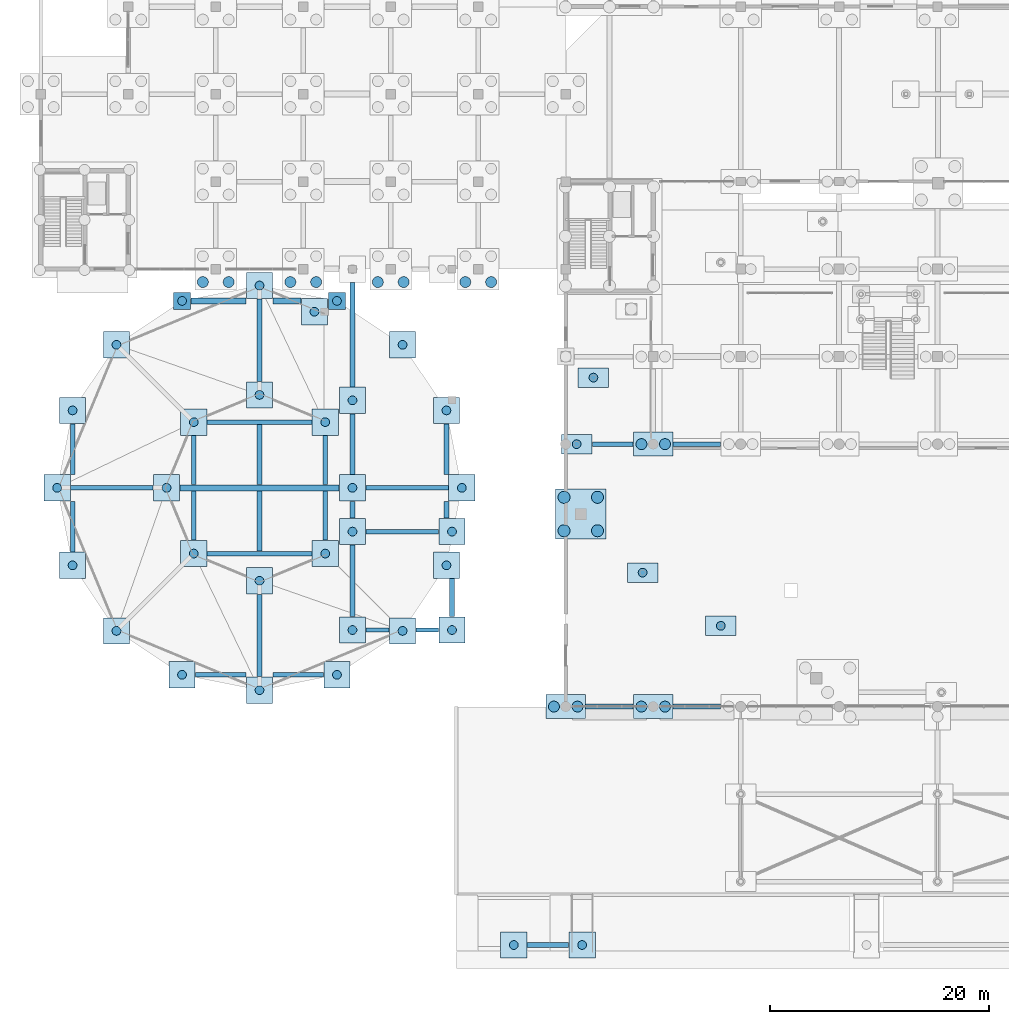
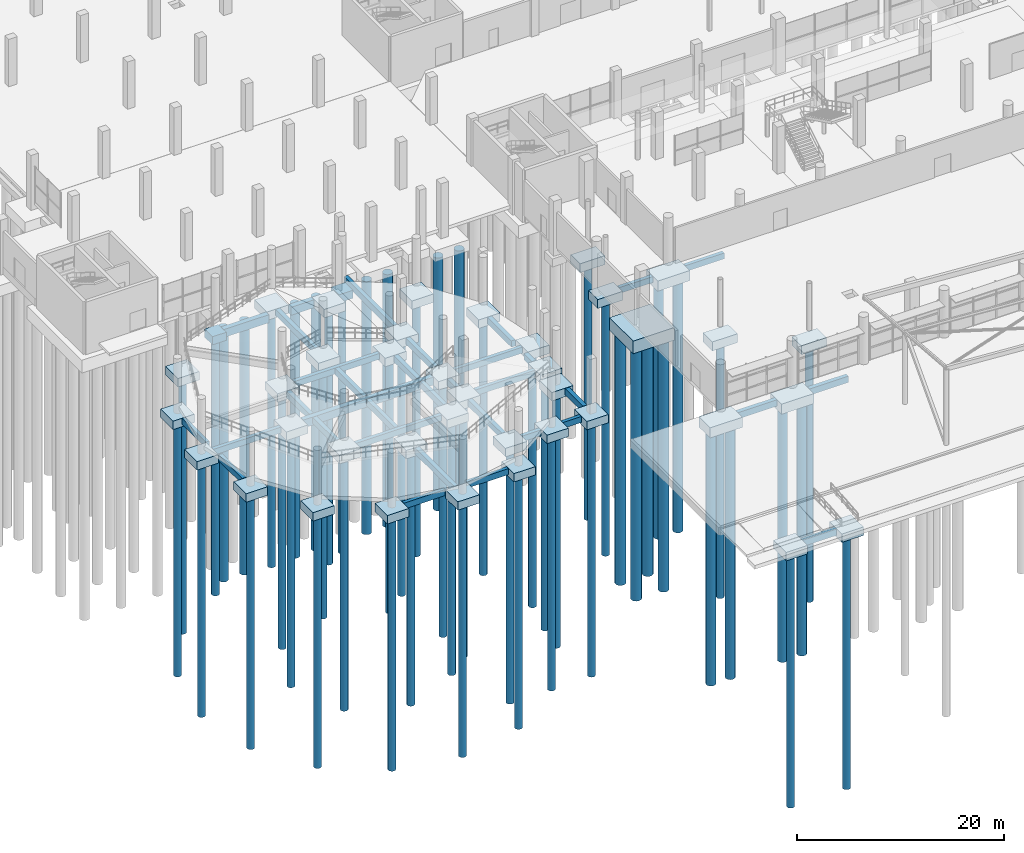
# One storey, part 1 of 98: 74 footings, 54 piles.
"""IFC4 building model written with IfcOpenShell, lengths in metres."""

from ifc_helpers import new_model, si_unit, derived_unit, direction, frame, origin, origin_2d, place, context, subcontext, project, spatial, rectangle, circle, extrude, material, layer, layer_set, material_profile, profile_set, type_object, element, save


model = new_model("IFC4")

# Units and contexts
model_context = context("Model", 3, precision=1e-05, world=origin(), true_north=direction((0.0, 1.0)))
body_context = subcontext(model_context, "Body", "Model", "MODEL_VIEW")
ifc_project = project(units=[si_unit("LENGTHUNIT", "METRE"), si_unit("AREAUNIT", "SQUARE_METRE"), si_unit("VOLUMEUNIT", "CUBIC_METRE"), si_unit("PLANEANGLEUNIT", "RADIAN"), si_unit("MASSUNIT", "GRAM", prefix="KILO"), si_unit("THERMODYNAMICTEMPERATUREUNIT", "KELVIN"), derived_unit("THERMALTRANSMITTANCEUNIT", [(si_unit("POWERUNIT", "WATT"), 1), (si_unit("AREAUNIT", "SQUARE_METRE"), -1), (si_unit("THERMODYNAMICTEMPERATUREUNIT", "KELVIN"), -1)])], contexts=[model_context])

# Site, building, storey
site_placement = place(None, origin())
site = spatial("IfcSite", under=ifc_project, at=site_placement, CompositionType="ELEMENT")
building_placement = place(site_placement, origin())
building = spatial("IfcBuilding", under=site, at=building_placement, Name="Haiyu Intermodal Mobility Hub", CompositionType="ELEMENT")
storey_placement = place(building_placement, origin())
storey = spatial("IfcBuildingStorey", under=building, at=storey_placement, Name="L00", CompositionType="ELEMENT", Elevation=0.0)

# Footings
ifc_material = material(Name="Concrete C40", Category="concrete")
ifc_layer_1 = layer(ifc_material, 1.5)
ifc_layer_set_1 = layer_set([ifc_layer_1], Name="Concrete C40")
footing_type_1 = type_object("IfcFootingType", Name="CAP-PC01", PredefinedType="PILE_CAP", material=ifc_layer_set_1)
footing_1_placement = place(storey_placement, frame((63.3740234375, 57.60693359375, -2.39990234375), z_axis=(0.0, 0.0, 1.0), x_axis=(1.0, 0.0, 0.0)))
element("IfcFooting", 1, at=footing_1_placement, inside=storey, type_object=footing_type_1, Name="Pile Cap CAP-MP-05", PredefinedType="PILE_CAP", context=body_context, shape_type="SweptSolid", body=[
    extrude(rectangle(XDim=4.60009765625, YDim=4.60009765625, at=origin_2d()), origin(), (0.0, 0.0, 1.0), 1.5),
])
ifc_layer_2 = layer(ifc_material, 1.199951171875)
ifc_layer_set_2 = layer_set([ifc_layer_2], Name="Concrete C40")
footing_type_2 = type_object("IfcFootingType", Name="CAP-PC04", PredefinedType="PILE_CAP", material=ifc_layer_set_2)
for number, where, z_axis, x_axis, name in (
    (2, (62.0, 40.0, -2.10009765625), (0.0, 0.0, 1.0), (1.0, 0.0, 0.0), "Pile Cap CAP-V1-7D"),
    (3, (70.0, 40.0, -2.10009765625), (0.0, 0.0, 1.0), (1.0, 0.0, 0.0), "Pile Cap CAP-V1-8D"),
    (4, (70.0, 64.0, -2.10009765625), (0.0, 0.0, 1.0), (1.0, 0.0, 0.0), "Pile Cap CAP-V1-8G"),
):
    element("IfcFooting", number, at=place(storey_placement, frame(where, z_axis=z_axis, x_axis=x_axis)), inside=storey, type_object=footing_type_2, Name=name, PredefinedType="PILE_CAP", context=body_context, shape_type="SweptSolid", body=[
        extrude(rectangle(XDim=3.60009765625, YDim=2.199951171875, at=origin_2d()), origin(), (0.0, 0.0, 1.0), 1.199951171875),
    ])
ifc_layer_3 = layer(ifc_material, 1.050048828125)
ifc_layer_set_3 = layer_set([ifc_layer_3], Name="Concrete C40")
footing_type_3 = type_object("IfcFootingType", Name="CAP-PC07", PredefinedType="PILE_CAP", material=ifc_layer_set_3)
for number, where, z_axis, x_axis, name in (
    (5, (64.532958984375, 70.08203125, -1.9501953125), (0.0, 0.0, 1.0), (1.0, 0.0, 0.0), "Pile Cap CAP-RCOL-12"),
    (6, (63.0, 64.0, -1.9501953125), (0.0, 0.0, 1.0), (1.0, 0.0, 0.0), "Pile Cap CAP-RCOL-13"),
    (7, (69.029052734375, 52.25, -1.9501953125), (0.0, 0.0, 1.0), (1.0, 0.0, 0.0), "Pile Cap CAP-RCOL-15"),
    (8, (76.179931640625, 47.383056640625, -1.9501953125), (0.0, 0.0, 1.0), (1.0, 0.0, 0.0), "Pile Cap CAP-RCOL-16"),
):
    element("IfcFooting", number, at=place(storey_placement, frame(where, z_axis=z_axis, x_axis=x_axis)), inside=storey, type_object=footing_type_3, Name=name, PredefinedType="PILE_CAP", context=body_context, shape_type="SweptSolid", body=[
        extrude(rectangle(XDim=2.800048828125, YDim=1.800048828125, at=origin_2d()), origin(), (0.0, 0.0, 1.0), 1.050048828125),
    ])
ifc_layer_4 = layer(ifc_material, 1.0)
ifc_layer_set_4 = layer_set([ifc_layer_4], Name="Concrete C40")
footing_type_4 = type_object("IfcFootingType", Name="CAP-PC10", PredefinedType="PILE_CAP", material=ifc_layer_set_4)
for number, where, z_axis, x_axis, name in (
    (9, (52.5, 60.0, -1.89990234375), (0.0, 0.0, 1.0), (1.0, 0.0, 0.0), "Pile Cap CAP-V2O-01"),
    (10, (51.092041015625, 67.080078125, -1.89990234375), (0.0, 0.0, 1.0), (1.0, 0.0, 0.0), "Pile Cap CAP-V2O-02"),
    (11, (47.0810546875, 73.0810546875, -1.89990234375), (0.0, 0.0, 1.0), (1.0, 0.0, 0.0), "Pile Cap CAP-V2O-03"),
    (12, (34.0, 78.5, -1.89990234375), (0.0, 0.0, 1.0), (1.0, 0.0, 0.0), "Pile Cap CAP-V2O-05"),
    (13, (20.9189453125, 73.0810546875, -1.89990234375), (0.0, 0.0, 1.0), (1.0, 0.0, 0.0), "Pile Cap CAP-V2O-07"),
    (14, (16.907958984375, 67.080078125, -1.89990234375), (0.0, 0.0, 1.0), (1.0, 0.0, 0.0), "Pile Cap CAP-V2O-08"),
    (15, (15.5, 60.0, -1.89990234375), (0.0, 0.0, 1.0), (1.0, 0.0, 0.0), "Pile Cap CAP-V2O-09"),
    (16, (16.907958984375, 52.919921875, -1.89990234375), (0.0, 0.0, 1.0), (1.0, 0.0, 0.0), "Pile Cap CAP-V2O-10"),
    (17, (20.9189453125, 46.9189453125, -1.89990234375), (0.0, 0.0, 1.0), (1.0, 0.0, 0.0), "Pile Cap CAP-V2O-11"),
    (18, (26.919921875, 42.907958984375, -1.89990234375), (0.0, 0.0, 1.0), (1.0, 0.0, 0.0), "Pile Cap CAP-V2O-12"),
    (19, (34.0, 41.5, -1.89990234375), (0.0, 0.0, 1.0), (1.0, 0.0, 0.0), "Pile Cap CAP-V2O-13"),
    (20, (41.080078125, 42.907958984375, -1.89990234375), (0.0, 0.0, 1.0), (1.0, 0.0, 0.0), "Pile Cap CAP-V2O-14"),
    (21, (47.0810546875, 46.9189453125, -1.89990234375), (0.0, 0.0, 1.0), (1.0, 0.0, 0.0), "Pile Cap CAP-V2O-15"),
    (22, (51.092041015625, 52.919921875, -1.89990234375), (0.0, 0.0, 1.0), (1.0, 0.0, 0.0), "Pile Cap CAP-V2O-16"),
    (23, (42.5, 60.0, -1.89990234375), (0.0, 0.0, 1.0), (1.0, 0.0, 0.0), "Pile Cap CAP-V2I-01"),
    (24, (40.010009765625, 66.010009765625, -1.89990234375), (0.0, 0.0, 1.0), (1.0, 0.0, 0.0), "Pile Cap CAP-V2I-02"),
    (25, (34.0, 68.5, -1.89990234375), (0.0, 0.0, 1.0), (1.0, 0.0, 0.0), "Pile Cap CAP-V2I-03"),
    (26, (27.989990234375, 66.010009765625, -1.89990234375), (0.0, 0.0, 1.0), (1.0, 0.0, 0.0), "Pile Cap CAP-V2I-04"),
    (27, (25.5, 60.0, -1.89990234375), (0.0, 0.0, 1.0), (1.0, 0.0, 0.0), "Pile Cap CAP-V2I-05"),
    (28, (27.989990234375, 53.989990234375, -1.89990234375), (0.0, 0.0, 1.0), (1.0, 0.0, 0.0), "Pile Cap CAP-V2I-06"),
    (29, (34.0, 51.5, -1.89990234375), (0.0, 0.0, 1.0), (1.0, 0.0, 0.0), "Pile Cap CAP-V2I-07"),
    (30, (40.010009765625, 53.989990234375, -1.89990234375), (0.0, 0.0, 1.0), (1.0, 0.0, 0.0), "Pile Cap CAP-V2I-08"),
    (31, (51.60009765625, 47.0, -1.89990234375), (0.0, 0.0, 1.0), (1.0, 0.0, 0.0), "Pile Cap CAP-V2L-1"),
    (32, (42.5, 47.0, -1.89990234375), (0.0, 0.0, 1.0), (1.0, 0.0, 0.0), "Pile Cap CAP-V2LW-1"),
    (33, (51.60009765625, 56.0, -1.89990234375), (0.0, 0.0, 1.0), (1.0, 0.0, 0.0), "Pile Cap CAP-V2L-2"),
    (34, (42.5, 56.0, -1.89990234375), (0.0, 0.0, 1.0), (1.0, 0.0, 0.0), "Pile Cap CAP-V2LW-2"),
    (35, (42.5, 68.0, -1.89990234375), (0.0, 0.0, 1.0), (1.0, 0.0, 0.0), "Pile Cap CAP-V2LW-3"),
    (36, (39.02001953125, 76.10009765625, -1.89990234375), (0.0, 0.0, 1.0), (1.0, 0.0, 0.0), "Pile Cap CAP-V2LW-N"),
    (37, (63.5, 18.199951171875, -1.89990234375), (0.0, 0.0, 1.0), (1.0, 0.0, 0.0), "Pile Cap CAP-ACC-01"),
    (38, (57.25, 18.199951171875, -1.89990234375), (0.0, 0.0, 1.0), (1.0, 0.0, 0.0), "Pile Cap CAP-VEH-S1"),
):
    element("IfcFooting", number, at=place(storey_placement, frame(where, z_axis=z_axis, x_axis=x_axis)), inside=storey, type_object=footing_type_4, Name=name, PredefinedType="PILE_CAP", context=body_context, shape_type="SweptSolid", body=[
        extrude(rectangle(XDim=2.39990234375, YDim=2.39990234375, at=origin_2d()), origin(), (0.0, 0.0, 1.0), 1.0),
    ])
ifc_layer_5 = layer(ifc_material, 0.949951171875)
ifc_layer_set_5 = layer_set([ifc_layer_5], Name="Concrete C40")
footing_type_5 = type_object("IfcFootingType", Name="CAP-PC17", PredefinedType="PILE_CAP", material=ifc_layer_set_5)
for number, where, z_axis, x_axis, name in (
    (39, (41.080078125, 77.092041015625, -1.85009765625), (0.0, 0.0, 1.0), (1.0, 0.0, 0.0), "Pile Cap CAP-V2O-04"),
    (40, (26.919921875, 77.092041015625, -1.85009765625), (0.0, 0.0, 1.0), (1.0, 0.0, 0.0), "Pile Cap CAP-V2O-06"),
):
    element("IfcFooting", number, at=place(storey_placement, frame(where, z_axis=z_axis, x_axis=x_axis)), inside=storey, type_object=footing_type_5, Name=name, PredefinedType="PILE_CAP", context=body_context, shape_type="SweptSolid", body=[
        extrude(rectangle(XDim=1.550048828125, YDim=1.550048828125, at=origin_2d()), origin(), (0.0, 0.0, 1.0), 0.949951171875),
    ])
ifc_material_profile_1 = material_profile(ifc_material, rectangle(XDim=0.449951171875, YDim=0.75, at=origin_2d()), Name="FB450x750")
ifc_profile_set_1 = profile_set([ifc_material_profile_1], Name="Concrete C40")
footing_type_6 = type_object("IfcFootingType", Name="FBM-FB02", PredefinedType="FOOTING_BEAM", material=ifc_profile_set_1)
footing_2_placement = place(storey_placement, frame((58.47998046875, 18.199951171875, -1.27490234375), z_axis=(1.0, 0.0, 0.0), x_axis=(0.0, 1.0, 0.0)))
element("IfcFooting", 41, at=footing_2_placement, inside=storey, type_object=footing_type_6, Name="Foundation Tie Beam FBM-X-007", PredefinedType="FOOTING_BEAM", context=body_context, shape_type="SweptSolid", body=[
    extrude(rectangle(XDim=0.449951171875, YDim=0.75, at=origin_2d()), origin(), (0.0, 0.0, 1.0), 3.7900390625),
])
for number, where, z_axis, x_axis, name in (
    (42, (63.830078125, 40.0, -1.27490234375), (1.0, 0.0, 0.0), (0.0, 1.0, 0.0), "Foundation Tie Beam FBM-X-026"),
    (43, (71.830078125, 40.0, -1.27490234375), (1.0, 0.0, 0.0), (0.0, 1.0, 0.0), "Foundation Tie Beam FBM-X-027"),
):
    element("IfcFooting", number, at=place(storey_placement, frame(where, z_axis=z_axis, x_axis=x_axis)), inside=storey, type_object=footing_type_6, Name=name, PredefinedType="FOOTING_BEAM", context=body_context, shape_type="SweptSolid", body=[
        extrude(rectangle(XDim=0.449951171875, YDim=0.75, at=origin_2d()), origin(), (0.0, 0.0, 1.0), 4.33984375),
    ])
for number, where, z_axis, x_axis, name in (
    (44, (27.989990234375, 55.219970703125, -1.27490234375), (0.0, 1.0, 0.0), (-1.0, 0.0, 0.0), "Foundation Tie Beam FBM-Y-234"),
    (45, (27.989990234375, 60.304931640625, -1.27490234375), (0.0, 1.0, 0.0), (-1.0, 0.0, 0.0), "Foundation Tie Beam FBM-Y-235"),
):
    element("IfcFooting", number, at=place(storey_placement, frame(where, z_axis=z_axis, x_axis=x_axis)), inside=storey, type_object=footing_type_6, Name=name, PredefinedType="FOOTING_BEAM", context=body_context, shape_type="SweptSolid", body=[
        extrude(rectangle(XDim=0.449951171875, YDim=0.75, at=origin_2d()), origin(), (0.0, 0.0, 1.0), 4.47509765625),
    ])
footing_3_placement = place(storey_placement, frame((34.0, 42.72998046875, -1.27490234375), z_axis=(0.0, 1.0, 0.0), x_axis=(-1.0, 0.0, 0.0)))
element("IfcFooting", 46, at=footing_3_placement, inside=storey, type_object=footing_type_6, Name="Foundation Tie Beam FBM-Y-241", PredefinedType="FOOTING_BEAM", context=body_context, shape_type="SweptSolid", body=[
    extrude(rectangle(XDim=0.449951171875, YDim=0.75, at=origin_2d()), origin(), (0.0, 0.0, 1.0), 7.5400390625),
])
for number, where, z_axis, x_axis, name in (
    (47, (34.0, 54.219970703125, -1.27490234375), (0.0, 1.0, 0.0), (-1.0, 0.0, 0.0), "Foundation Tie Beam FBM-Y-242"),
    (48, (34.0, 60.304931640625, -1.27490234375), (0.0, 1.0, 0.0), (-1.0, 0.0, 0.0), "Foundation Tie Beam FBM-Y-243"),
):
    element("IfcFooting", number, at=place(storey_placement, frame(where, z_axis=z_axis, x_axis=x_axis)), inside=storey, type_object=footing_type_6, Name=name, PredefinedType="FOOTING_BEAM", context=body_context, shape_type="SweptSolid", body=[
        extrude(rectangle(XDim=0.449951171875, YDim=0.75, at=origin_2d()), origin(), (0.0, 0.0, 1.0), 5.47509765625),
    ])
footing_4_placement = place(storey_placement, frame((34.0, 69.72998046875, -1.27490234375), z_axis=(0.0, 1.0, 0.0), x_axis=(-1.0, 0.0, 0.0)))
element("IfcFooting", 49, at=footing_4_placement, inside=storey, type_object=footing_type_6, Name="Foundation Tie Beam FBM-Y-244", PredefinedType="FOOTING_BEAM", context=body_context, shape_type="SweptSolid", body=[
    extrude(rectangle(XDim=0.449951171875, YDim=0.75, at=origin_2d()), origin(), (0.0, 0.0, 1.0), 7.5400390625),
])
for number, where, z_axis, x_axis, name in (
    (50, (40.010009765625, 55.219970703125, -1.27490234375), (0.0, 1.0, 0.0), (-1.0, 0.0, 0.0), "Foundation Tie Beam FBM-Y-252"),
    (51, (40.010009765625, 60.304931640625, -1.27490234375), (0.0, 1.0, 0.0), (-1.0, 0.0, 0.0), "Foundation Tie Beam FBM-Y-253"),
):
    element("IfcFooting", number, at=place(storey_placement, frame(where, z_axis=z_axis, x_axis=x_axis)), inside=storey, type_object=footing_type_6, Name=name, PredefinedType="FOOTING_BEAM", context=body_context, shape_type="SweptSolid", body=[
        extrude(rectangle(XDim=0.449951171875, YDim=0.75, at=origin_2d()), origin(), (0.0, 0.0, 1.0), 4.47509765625),
    ])
footing_5_placement = place(storey_placement, frame((42.5, 48.22998046875, -1.27490234375), z_axis=(0.0, 1.0, 0.0), x_axis=(-1.0, 0.0, 0.0)))
element("IfcFooting", 52, at=footing_5_placement, inside=storey, type_object=footing_type_6, Name="Foundation Tie Beam FBM-Y-254", PredefinedType="FOOTING_BEAM", context=body_context, shape_type="SweptSolid", body=[
    extrude(rectangle(XDim=0.449951171875, YDim=0.75, at=origin_2d()), origin(), (0.0, 0.0, 1.0), 6.5400390625),
])
footing_6_placement = place(storey_placement, frame((42.5, 57.22998046875, -1.27490234375), z_axis=(0.0, 1.0, 0.0), x_axis=(-1.0, 0.0, 0.0)))
element("IfcFooting", 53, at=footing_6_placement, inside=storey, type_object=footing_type_6, Name="Foundation Tie Beam FBM-Y-255", PredefinedType="FOOTING_BEAM", context=body_context, shape_type="SweptSolid", body=[
    extrude(rectangle(XDim=0.449951171875, YDim=0.75, at=origin_2d()), origin(), (0.0, 0.0, 1.0), 1.5400390625),
])
footing_7_placement = place(storey_placement, frame((42.5, 61.22998046875, -1.27490234375), z_axis=(0.0, 1.0, 0.0), x_axis=(-1.0, 0.0, 0.0)))
element("IfcFooting", 54, at=footing_7_placement, inside=storey, type_object=footing_type_6, Name="Foundation Tie Beam FBM-Y-256", PredefinedType="FOOTING_BEAM", context=body_context, shape_type="SweptSolid", body=[
    extrude(rectangle(XDim=0.449951171875, YDim=0.75, at=origin_2d()), origin(), (0.0, 0.0, 1.0), 5.5400390625),
])
footing_8_placement = place(storey_placement, frame((42.5, 69.22998046875, -1.27490234375), z_axis=(0.0, 1.0, 0.0), x_axis=(-1.0, 0.0, 0.0)))
element("IfcFooting", 55, at=footing_8_placement, inside=storey, type_object=footing_type_6, Name="Foundation Tie Beam FBM-Y-257", PredefinedType="FOOTING_BEAM", context=body_context, shape_type="SweptSolid", body=[
    extrude(rectangle(XDim=0.449951171875, YDim=0.75, at=origin_2d()), origin(), (0.0, 0.0, 1.0), 9.5400390625),
])
footing_9_placement = place(storey_placement, frame((51.092041015625, 57.22998046875, -1.27490234375), z_axis=(0.0, 1.0, 0.0), x_axis=(-1.0, 0.0, 0.0)))
element("IfcFooting", 56, at=footing_9_placement, inside=storey, type_object=footing_type_6, Name="Foundation Tie Beam FBM-Y-265", PredefinedType="FOOTING_BEAM", context=body_context, shape_type="SweptSolid", body=[
    extrude(rectangle(XDim=0.449951171875, YDim=0.75, at=origin_2d()), origin(), (0.0, 0.0, 1.0), 1.5400390625),
])
footing_10_placement = place(storey_placement, frame((51.092041015625, 61.22998046875, -1.27490234375), z_axis=(0.0, 1.0, 0.0), x_axis=(-1.0, 0.0, 0.0)))
element("IfcFooting", 57, at=footing_10_placement, inside=storey, type_object=footing_type_6, Name="Foundation Tie Beam FBM-Y-266", PredefinedType="FOOTING_BEAM", context=body_context, shape_type="SweptSolid", body=[
    extrude(rectangle(XDim=0.449951171875, YDim=0.75, at=origin_2d()), origin(), (0.0, 0.0, 1.0), 4.6201171875),
])
footing_11_placement = place(storey_placement, frame((51.60009765625, 48.22998046875, -1.27490234375), z_axis=(0.0, 1.0, 0.0), x_axis=(-1.0, 0.0, 0.0)))
element("IfcFooting", 58, at=footing_11_placement, inside=storey, type_object=footing_type_6, Name="Foundation Tie Beam FBM-Y-267", PredefinedType="FOOTING_BEAM", context=body_context, shape_type="SweptSolid", body=[
    extrude(rectangle(XDim=0.449951171875, YDim=0.75, at=origin_2d()), origin(), (0.0, 0.0, 1.0), 3.4599609375),
])
ifc_material_profile_2 = material_profile(ifc_material, rectangle(XDim=0.39990234375, YDim=0.699951171875, at=origin_2d()), Name="FB400x700")
ifc_profile_set_2 = profile_set([ifc_material_profile_2], Name="Concrete C40")
footing_type_7 = type_object("IfcFootingType", Name="FBM-FB03", PredefinedType="FOOTING_BEAM", material=ifc_profile_set_2)
for number, where, z_axis, x_axis, name in (
    (59, (28.14990234375, 42.907958984375, -1.25), (1.0, 0.0, 0.0), (0.0, 1.0, 0.0), "Foundation Tie Beam FBM-X-039"),
    (60, (35.22998046875, 42.907958984375, -1.25), (1.0, 0.0, 0.0), (0.0, 1.0, 0.0), "Foundation Tie Beam FBM-X-040"),
):
    element("IfcFooting", number, at=place(storey_placement, frame(where, z_axis=z_axis, x_axis=x_axis)), inside=storey, type_object=footing_type_7, Name=name, PredefinedType="FOOTING_BEAM", context=body_context, shape_type="SweptSolid", body=[
        extrude(rectangle(XDim=0.39990234375, YDim=0.699951171875, at=origin_2d()), origin(), (0.0, 0.0, 1.0), 4.6201171875),
    ])
footing_12_placement = place(storey_placement, frame((43.72998046875, 47.0, -1.25), z_axis=(1.0, 0.0, 0.0), x_axis=(0.0, 1.0, 0.0)))
element("IfcFooting", 61, at=footing_12_placement, inside=storey, type_object=footing_type_7, Name="Foundation Tie Beam FBM-X-041", PredefinedType="FOOTING_BEAM", context=body_context, shape_type="SweptSolid", body=[
    extrude(rectangle(XDim=0.39990234375, YDim=0.699951171875, at=origin_2d()), origin(), (0.0, 0.0, 1.0), 2.12109375),
])
footing_13_placement = place(storey_placement, frame((48.31103515625, 47.0, -1.25), z_axis=(1.0, 0.0, 0.0), x_axis=(0.0, 1.0, 0.0)))
element("IfcFooting", 62, at=footing_13_placement, inside=storey, type_object=footing_type_7, Name="Foundation Tie Beam FBM-X-042", PredefinedType="FOOTING_BEAM", context=body_context, shape_type="SweptSolid", body=[
    extrude(rectangle(XDim=0.39990234375, YDim=0.699951171875, at=origin_2d()), origin(), (0.0, 0.0, 1.0), 2.05908203125),
])
footing_14_placement = place(storey_placement, frame((29.219970703125, 53.989990234375, -1.25), z_axis=(1.0, 0.0, 0.0), x_axis=(0.0, 1.0, 0.0)))
element("IfcFooting", 63, at=footing_14_placement, inside=storey, type_object=footing_type_7, Name="Foundation Tie Beam FBM-X-050", PredefinedType="FOOTING_BEAM", context=body_context, shape_type="SweptSolid", body=[
    extrude(rectangle(XDim=0.39990234375, YDim=0.699951171875, at=origin_2d()), origin(), (0.0, 0.0, 1.0), 9.56005859375),
])
footing_15_placement = place(storey_placement, frame((43.72998046875, 56.0, -1.25), z_axis=(1.0, 0.0, 0.0), x_axis=(0.0, 1.0, 0.0)))
element("IfcFooting", 64, at=footing_15_placement, inside=storey, type_object=footing_type_7, Name="Foundation Tie Beam FBM-X-051", PredefinedType="FOOTING_BEAM", context=body_context, shape_type="SweptSolid", body=[
    extrude(rectangle(XDim=0.39990234375, YDim=0.699951171875, at=origin_2d()), origin(), (0.0, 0.0, 1.0), 6.64013671875),
])
for number, where, z_axis, x_axis, name in (
    (65, (16.72998046875, 60.0, -1.25), (1.0, 0.0, 0.0), (0.0, 1.0, 0.0), "Foundation Tie Beam FBM-X-059"),
    (66, (43.72998046875, 60.0, -1.25), (1.0, 0.0, 0.0), (0.0, 1.0, 0.0), "Foundation Tie Beam FBM-X-061"),
):
    element("IfcFooting", number, at=place(storey_placement, frame(where, z_axis=z_axis, x_axis=x_axis)), inside=storey, type_object=footing_type_7, Name=name, PredefinedType="FOOTING_BEAM", context=body_context, shape_type="SweptSolid", body=[
        extrude(rectangle(XDim=0.39990234375, YDim=0.699951171875, at=origin_2d()), origin(), (0.0, 0.0, 1.0), 7.5400390625),
    ])
footing_16_placement = place(storey_placement, frame((64.429931640625, 64.0, -1.25), z_axis=(1.0, 0.0, 0.0), x_axis=(0.0, 1.0, 0.0)))
element("IfcFooting", 67, at=footing_16_placement, inside=storey, type_object=footing_type_7, Name="Foundation Tie Beam FBM-X-062", PredefinedType="FOOTING_BEAM", context=body_context, shape_type="SweptSolid", body=[
    extrude(rectangle(XDim=0.39990234375, YDim=0.699951171875, at=origin_2d()), origin(), (0.0, 0.0, 1.0), 3.739990234375),
])
footing_17_placement = place(storey_placement, frame((71.830078125, 64.0, -1.25), z_axis=(1.0, 0.0, 0.0), x_axis=(0.0, 1.0, 0.0)))
element("IfcFooting", 68, at=footing_17_placement, inside=storey, type_object=footing_type_7, Name="Foundation Tie Beam FBM-X-063", PredefinedType="FOOTING_BEAM", context=body_context, shape_type="SweptSolid", body=[
    extrude(rectangle(XDim=0.39990234375, YDim=0.699951171875, at=origin_2d()), origin(), (0.0, 0.0, 1.0), 4.33984375),
])
footing_18_placement = place(storey_placement, frame((29.219970703125, 66.010009765625, -1.25), z_axis=(1.0, 0.0, 0.0), x_axis=(0.0, 1.0, 0.0)))
element("IfcFooting", 69, at=footing_18_placement, inside=storey, type_object=footing_type_7, Name="Foundation Tie Beam FBM-X-077", PredefinedType="FOOTING_BEAM", context=body_context, shape_type="SweptSolid", body=[
    extrude(rectangle(XDim=0.39990234375, YDim=0.699951171875, at=origin_2d()), origin(), (0.0, 0.0, 1.0), 9.56005859375),
])
for number, where, z_axis, x_axis, name in (
    (70, (16.907958984375, 54.14990234375, -1.25), (0.0, 1.0, 0.0), (-1.0, 0.0, 0.0), "Foundation Tie Beam FBM-Y-229"),
    (71, (16.907958984375, 61.22998046875, -1.25), (0.0, 1.0, 0.0), (-1.0, 0.0, 0.0), "Foundation Tie Beam FBM-Y-230"),
):
    element("IfcFooting", number, at=place(storey_placement, frame(where, z_axis=z_axis, x_axis=x_axis)), inside=storey, type_object=footing_type_7, Name=name, PredefinedType="FOOTING_BEAM", context=body_context, shape_type="SweptSolid", body=[
        extrude(rectangle(XDim=0.39990234375, YDim=0.699951171875, at=origin_2d()), origin(), (0.0, 0.0, 1.0), 4.6201171875),
    ])
ifc_material_profile_3 = material_profile(ifc_material, rectangle(XDim=0.550048828125, YDim=0.949951171875, at=origin_2d()), Name="FB550x950")
ifc_profile_set_3 = profile_set([ifc_material_profile_3], Name="Concrete C40")
footing_type_8 = type_object("IfcFootingType", Name="FBM-FB04", PredefinedType="FOOTING_BEAM", material=ifc_profile_set_3)
footing_19_placement = place(storey_placement, frame((26.72998046875, 60.0, -1.375), z_axis=(1.0, 0.0, 0.0), x_axis=(0.0, 1.0, 0.0)))
element("IfcFooting", 72, at=footing_19_placement, inside=storey, type_object=footing_type_8, Name="Foundation Tie Beam FBM-X-060", PredefinedType="FOOTING_BEAM", context=body_context, shape_type="SweptSolid", body=[
    extrude(rectangle(XDim=0.550048828125, YDim=0.949951171875, at=origin_2d()), origin(), (0.0, 0.0, 1.0), 14.5400390625),
])
footing_20_placement = place(storey_placement, frame((27.72509765625, 77.092041015625, -1.375), z_axis=(1.0, 0.0, 0.0), x_axis=(0.0, 1.0, 0.0)))
element("IfcFooting", 73, at=footing_20_placement, inside=storey, type_object=footing_type_8, Name="Foundation Tie Beam FBM-X-096", PredefinedType="FOOTING_BEAM", context=body_context, shape_type="SweptSolid", body=[
    extrude(rectangle(XDim=0.550048828125, YDim=0.949951171875, at=origin_2d()), origin(), (0.0, 0.0, 1.0), 5.044921875),
])
footing_21_placement = place(storey_placement, frame((35.22998046875, 77.092041015625, -1.375), z_axis=(1.0, 0.0, 0.0), x_axis=(0.0, 1.0, 0.0)))
element("IfcFooting", 74, at=footing_21_placement, inside=storey, type_object=footing_type_8, Name="Foundation Tie Beam FBM-X-097", PredefinedType="FOOTING_BEAM", context=body_context, shape_type="SweptSolid", body=[
    extrude(rectangle(XDim=0.550048828125, YDim=0.949951171875, at=origin_2d()), origin(), (0.0, 0.0, 1.0), 2.56005859375),
])

# Piles
ifc_material_profile_4 = material_profile(ifc_material, circle(Radius=0.550048828125, at=origin_2d()), Name="PILE-D1100")
ifc_profile_set_4 = profile_set([ifc_material_profile_4], Name="Concrete C40")
pile_type_1 = type_object("IfcPileType", Name="PILE-PL01", PredefinedType="BORED", material=ifc_profile_set_4)
for number, where, z_axis, x_axis, name in (
    (75, (61.843994140625, 56.076904296875, -2.300048828125), (0.0, 0.0, -1.0), (1.0, 0.0, 0.0), "Bored Pile CAP-MP-05-P1"),
    (76, (64.904052734375, 56.076904296875, -2.300048828125), (0.0, 0.0, -1.0), (1.0, 0.0, 0.0), "Bored Pile CAP-MP-05-P2"),
    (77, (61.843994140625, 59.136962890625, -2.300048828125), (0.0, 0.0, -1.0), (1.0, 0.0, 0.0), "Bored Pile CAP-MP-05-P3"),
    (78, (64.904052734375, 59.136962890625, -2.300048828125), (0.0, 0.0, -1.0), (1.0, 0.0, 0.0), "Bored Pile CAP-MP-05-P4"),
):
    element("IfcPile", number, at=place(storey_placement, frame(where, z_axis=z_axis, x_axis=x_axis)), inside=storey, type_object=pile_type_1, Name=name, PredefinedType="BORED", context=body_context, shape_type="SweptSolid", body=[
        extrude(circle(Radius=0.550048828125, at=origin_2d()), origin(), (0.0, 0.0, 1.0), 29.699951171875),
    ])
ifc_material_profile_5 = material_profile(ifc_material, circle(Radius=0.5, at=origin_2d()), Name="PILE-D1000")
ifc_profile_set_5 = profile_set([ifc_material_profile_5], Name="Concrete C40")
pile_type_2 = type_object("IfcPileType", Name="PILE-PL02", PredefinedType="BORED", material=ifc_profile_set_5)
for number, where, z_axis, x_axis, name in (
    (79, (28.820068359375, 78.820068359375, -2.10009765625), (0.0, 0.0, -1.0), (1.0, 0.0, 0.0), "Bored Pile CAP-V4W-3J-P1"),
    (80, (31.179931640625, 78.820068359375, -2.10009765625), (0.0, 0.0, -1.0), (1.0, 0.0, 0.0), "Bored Pile CAP-V4W-3J-P2"),
    (81, (36.820068359375, 78.820068359375, -2.10009765625), (0.0, 0.0, -1.0), (1.0, 0.0, 0.0), "Bored Pile CAP-V4W-4J-P1"),
    (82, (39.179931640625, 78.820068359375, -2.10009765625), (0.0, 0.0, -1.0), (1.0, 0.0, 0.0), "Bored Pile CAP-V4W-4J-P2"),
    (83, (44.820068359375, 78.820068359375, -2.10009765625), (0.0, 0.0, -1.0), (1.0, 0.0, 0.0), "Bored Pile CAP-V4W-5J-P1"),
    (84, (47.179931640625, 78.820068359375, -2.10009765625), (0.0, 0.0, -1.0), (1.0, 0.0, 0.0), "Bored Pile CAP-V4W-5J-P2"),
    (85, (52.820068359375, 78.820068359375, -2.10009765625), (0.0, 0.0, -1.0), (1.0, 0.0, 0.0), "Bored Pile CAP-V4W-6J-P1"),
    (86, (55.179931640625, 78.820068359375, -2.10009765625), (0.0, 0.0, -1.0), (1.0, 0.0, 0.0), "Bored Pile CAP-V4W-6J-P2"),
):
    element("IfcPile", number, at=place(storey_placement, frame(where, z_axis=z_axis, x_axis=x_axis)), inside=storey, type_object=pile_type_2, Name=name, PredefinedType="BORED", context=body_context, shape_type="SweptSolid", body=[
        extrude(circle(Radius=0.5, at=origin_2d()), origin(), (0.0, 0.0, 1.0), 29.89990234375),
    ])
for number, where, z_axis, x_axis, name in (
    (87, (60.919921875, 40.0, -2.0), (0.0, 0.0, -1.0), (1.0, 0.0, 0.0), "Bored Pile CAP-V1-7D-P1"),
    (88, (63.080078125, 40.0, -2.0), (0.0, 0.0, -1.0), (1.0, 0.0, 0.0), "Bored Pile CAP-V1-7D-P2"),
    (89, (68.919921875, 40.0, -2.0), (0.0, 0.0, -1.0), (1.0, 0.0, 0.0), "Bored Pile CAP-V1-8D-P1"),
    (90, (71.080078125, 40.0, -2.0), (0.0, 0.0, -1.0), (1.0, 0.0, 0.0), "Bored Pile CAP-V1-8D-P2"),
    (91, (68.919921875, 64.0, -2.0), (0.0, 0.0, -1.0), (1.0, 0.0, 0.0), "Bored Pile CAP-V1-8G-P1"),
    (92, (71.080078125, 64.0, -2.0), (0.0, 0.0, -1.0), (1.0, 0.0, 0.0), "Bored Pile CAP-V1-8G-P2"),
):
    element("IfcPile", number, at=place(storey_placement, frame(where, z_axis=z_axis, x_axis=x_axis)), inside=storey, type_object=pile_type_2, Name=name, PredefinedType="BORED", context=body_context, shape_type="SweptSolid", body=[
        extrude(circle(Radius=0.5, at=origin_2d()), origin(), (0.0, 0.0, 1.0), 30.0),
    ])
ifc_material_profile_6 = material_profile(ifc_material, circle(Radius=0.39990234375, at=origin_2d()), Name="PILE-D800")
ifc_profile_set_6 = profile_set([ifc_material_profile_6], Name="Concrete C40")
pile_type_3 = type_object("IfcPileType", Name="PILE-PL04", PredefinedType="BORED", material=ifc_profile_set_6)
for number, where, z_axis, x_axis, name in (
    (93, (64.532958984375, 70.08203125, -1.85009765625), (0.0, 0.0, -1.0), (1.0, 0.0, 0.0), "Bored Pile CAP-RCOL-12-P1"),
    (94, (63.0, 64.0, -1.85009765625), (0.0, 0.0, -1.0), (1.0, 0.0, 0.0), "Bored Pile CAP-RCOL-13-P1"),
    (95, (69.029052734375, 52.25, -1.85009765625), (0.0, 0.0, -1.0), (1.0, 0.0, 0.0), "Bored Pile CAP-RCOL-15-P1"),
    (96, (76.179931640625, 47.383056640625, -1.85009765625), (0.0, 0.0, -1.0), (1.0, 0.0, 0.0), "Bored Pile CAP-RCOL-16-P1"),
):
    element("IfcPile", number, at=place(storey_placement, frame(where, z_axis=z_axis, x_axis=x_axis)), inside=storey, type_object=pile_type_3, Name=name, PredefinedType="BORED", context=body_context, shape_type="SweptSolid", body=[
        extrude(circle(Radius=0.39990234375, at=origin_2d()), origin(), (0.0, 0.0, 1.0), 30.14990234375),
    ])
for number, where, z_axis, x_axis, name in (
    (97, (52.5, 60.0, -1.800048828125), (0.0, 0.0, -1.0), (1.0, 0.0, 0.0), "Bored Pile CAP-V2O-01-P1"),
    (98, (51.092041015625, 67.080078125, -1.800048828125), (0.0, 0.0, -1.0), (1.0, 0.0, 0.0), "Bored Pile CAP-V2O-02-P1"),
    (99, (47.0810546875, 73.0810546875, -1.800048828125), (0.0, 0.0, -1.0), (1.0, 0.0, 0.0), "Bored Pile CAP-V2O-03-P1"),
):
    element("IfcPile", number, at=place(storey_placement, frame(where, z_axis=z_axis, x_axis=x_axis)), inside=storey, type_object=pile_type_3, Name=name, PredefinedType="BORED", context=body_context, shape_type="SweptSolid", body=[
        extrude(circle(Radius=0.39990234375, at=origin_2d()), origin(), (0.0, 0.0, 1.0), 30.199951171875),
    ])
pile_1_placement = place(storey_placement, frame((41.080078125, 77.092041015625, -1.75), z_axis=(0.0, 0.0, -1.0), x_axis=(1.0, 0.0, 0.0)))
element("IfcPile", 100, at=pile_1_placement, inside=storey, type_object=pile_type_3, Name="Bored Pile CAP-V2O-04-P1", PredefinedType="BORED", context=body_context, shape_type="SweptSolid", body=[
    extrude(circle(Radius=0.39990234375, at=origin_2d()), origin(), (0.0, 0.0, 1.0), 30.25),
])
pile_2_placement = place(storey_placement, frame((34.0, 78.5, -1.800048828125), z_axis=(0.0, 0.0, -1.0), x_axis=(1.0, 0.0, 0.0)))
element("IfcPile", 101, at=pile_2_placement, inside=storey, type_object=pile_type_3, Name="Bored Pile CAP-V2O-05-P1", PredefinedType="BORED", context=body_context, shape_type="SweptSolid", body=[
    extrude(circle(Radius=0.39990234375, at=origin_2d()), origin(), (0.0, 0.0, 1.0), 30.199951171875),
])
pile_3_placement = place(storey_placement, frame((26.919921875, 77.092041015625, -1.75), z_axis=(0.0, 0.0, -1.0), x_axis=(1.0, 0.0, 0.0)))
element("IfcPile", 102, at=pile_3_placement, inside=storey, type_object=pile_type_3, Name="Bored Pile CAP-V2O-06-P1", PredefinedType="BORED", context=body_context, shape_type="SweptSolid", body=[
    extrude(circle(Radius=0.39990234375, at=origin_2d()), origin(), (0.0, 0.0, 1.0), 30.25),
])
for number, where, z_axis, x_axis, name in (
    (103, (20.9189453125, 73.0810546875, -1.800048828125), (0.0, 0.0, -1.0), (1.0, 0.0, 0.0), "Bored Pile CAP-V2O-07-P1"),
    (104, (16.907958984375, 67.080078125, -1.800048828125), (0.0, 0.0, -1.0), (1.0, 0.0, 0.0), "Bored Pile CAP-V2O-08-P1"),
    (105, (15.5, 60.0, -1.800048828125), (0.0, 0.0, -1.0), (1.0, 0.0, 0.0), "Bored Pile CAP-V2O-09-P1"),
    (106, (16.907958984375, 52.919921875, -1.800048828125), (0.0, 0.0, -1.0), (1.0, 0.0, 0.0), "Bored Pile CAP-V2O-10-P1"),
    (107, (20.9189453125, 46.9189453125, -1.800048828125), (0.0, 0.0, -1.0), (1.0, 0.0, 0.0), "Bored Pile CAP-V2O-11-P1"),
    (108, (26.919921875, 42.907958984375, -1.800048828125), (0.0, 0.0, -1.0), (1.0, 0.0, 0.0), "Bored Pile CAP-V2O-12-P1"),
    (109, (34.0, 41.5, -1.800048828125), (0.0, 0.0, -1.0), (1.0, 0.0, 0.0), "Bored Pile CAP-V2O-13-P1"),
    (110, (41.080078125, 42.907958984375, -1.800048828125), (0.0, 0.0, -1.0), (1.0, 0.0, 0.0), "Bored Pile CAP-V2O-14-P1"),
    (111, (47.0810546875, 46.9189453125, -1.800048828125), (0.0, 0.0, -1.0), (1.0, 0.0, 0.0), "Bored Pile CAP-V2O-15-P1"),
    (112, (51.092041015625, 52.919921875, -1.800048828125), (0.0, 0.0, -1.0), (1.0, 0.0, 0.0), "Bored Pile CAP-V2O-16-P1"),
    (113, (42.5, 60.0, -1.800048828125), (0.0, 0.0, -1.0), (1.0, 0.0, 0.0), "Bored Pile CAP-V2I-01-P1"),
    (114, (40.010009765625, 66.010009765625, -1.800048828125), (0.0, 0.0, -1.0), (1.0, 0.0, 0.0), "Bored Pile CAP-V2I-02-P1"),
    (115, (34.0, 68.5, -1.800048828125), (0.0, 0.0, -1.0), (1.0, 0.0, 0.0), "Bored Pile CAP-V2I-03-P1"),
    (116, (27.989990234375, 66.010009765625, -1.800048828125), (0.0, 0.0, -1.0), (1.0, 0.0, 0.0), "Bored Pile CAP-V2I-04-P1"),
    (117, (25.5, 60.0, -1.800048828125), (0.0, 0.0, -1.0), (1.0, 0.0, 0.0), "Bored Pile CAP-V2I-05-P1"),
    (118, (27.989990234375, 53.989990234375, -1.800048828125), (0.0, 0.0, -1.0), (1.0, 0.0, 0.0), "Bored Pile CAP-V2I-06-P1"),
    (119, (34.0, 51.5, -1.800048828125), (0.0, 0.0, -1.0), (1.0, 0.0, 0.0), "Bored Pile CAP-V2I-07-P1"),
    (120, (40.010009765625, 53.989990234375, -1.800048828125), (0.0, 0.0, -1.0), (1.0, 0.0, 0.0), "Bored Pile CAP-V2I-08-P1"),
    (121, (51.60009765625, 47.0, -1.800048828125), (0.0, 0.0, -1.0), (1.0, 0.0, 0.0), "Bored Pile CAP-V2L-1-P1"),
    (122, (42.5, 47.0, -1.800048828125), (0.0, 0.0, -1.0), (1.0, 0.0, 0.0), "Bored Pile CAP-V2LW-1-P1"),
    (123, (51.60009765625, 56.0, -1.800048828125), (0.0, 0.0, -1.0), (1.0, 0.0, 0.0), "Bored Pile CAP-V2L-2-P1"),
    (124, (42.5, 56.0, -1.800048828125), (0.0, 0.0, -1.0), (1.0, 0.0, 0.0), "Bored Pile CAP-V2LW-2-P1"),
    (125, (42.5, 68.0, -1.800048828125), (0.0, 0.0, -1.0), (1.0, 0.0, 0.0), "Bored Pile CAP-V2LW-3-P1"),
    (126, (39.02001953125, 76.10009765625, -1.800048828125), (0.0, 0.0, -1.0), (1.0, 0.0, 0.0), "Bored Pile CAP-V2LW-N-P1"),
    (127, (63.5, 18.199951171875, -1.800048828125), (0.0, 0.0, -1.0), (1.0, 0.0, 0.0), "Bored Pile CAP-ACC-01-P1"),
    (128, (57.25, 18.199951171875, -1.800048828125), (0.0, 0.0, -1.0), (1.0, 0.0, 0.0), "Bored Pile CAP-VEH-S1-P1"),
):
    element("IfcPile", number, at=place(storey_placement, frame(where, z_axis=z_axis, x_axis=x_axis)), inside=storey, type_object=pile_type_3, Name=name, PredefinedType="BORED", context=body_context, shape_type="SweptSolid", body=[
        extrude(circle(Radius=0.39990234375, at=origin_2d()), origin(), (0.0, 0.0, 1.0), 30.199951171875),
    ])

save(model, "model.ifc")
